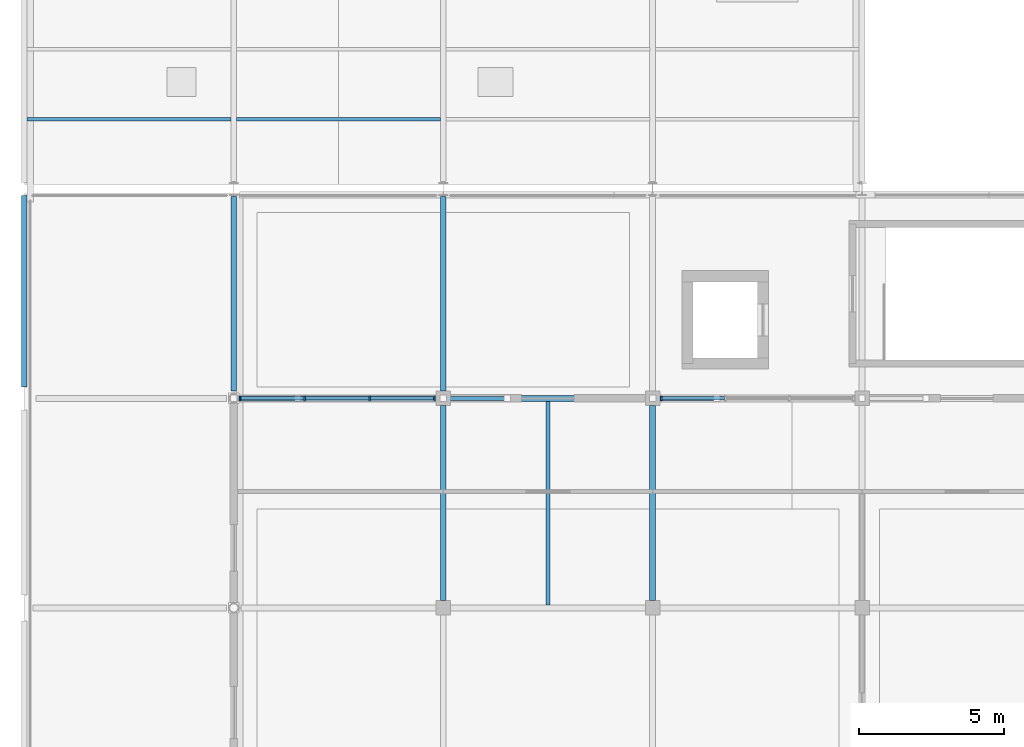
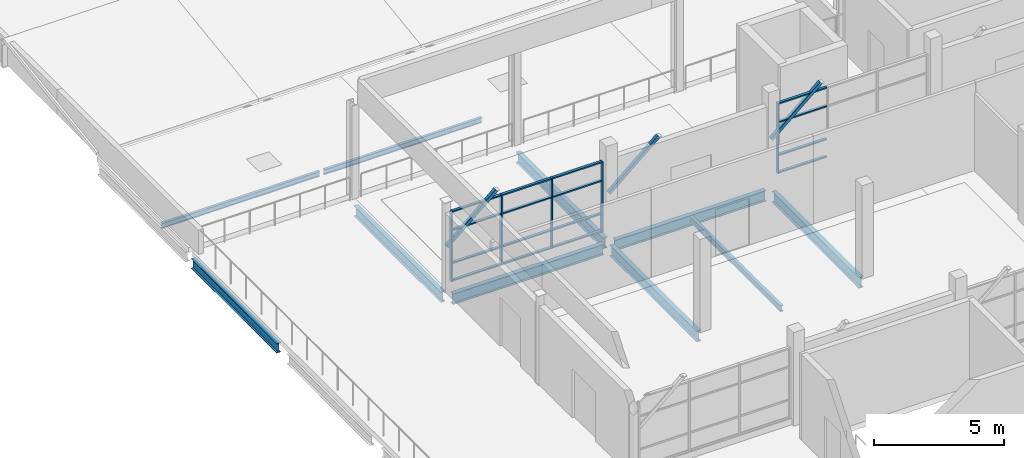
# One storey, part 7 of 32: 26 members, 8 beams, 2 elements without a shape of their own.
"""IFC4 building model written with IfcOpenShell, lengths in metres."""

from ifc_helpers import new_model, si_unit, direction, frame, origin, origin_2d, place, context, subcontext, project, spatial, rectangle, hollow_rectangle, i_section, extrude, material, material_profile, profile_set, type_object, element, aggregate, save


model = new_model("IFC4")

# Units and contexts
model_context = context("Model", 3, precision=1e-05, world=origin(), true_north=direction((0.0, 1.0)))
body_context = subcontext(model_context, "Body", "Model", "MODEL_VIEW")
ifc_project = project(units=[si_unit("LENGTHUNIT", "METRE"), si_unit("AREAUNIT", "SQUARE_METRE"), si_unit("VOLUMEUNIT", "CUBIC_METRE"), si_unit("PLANEANGLEUNIT", "RADIAN"), si_unit("MASSUNIT", "GRAM", prefix="KILO")], contexts=[model_context])

# Site, building, storey
site_placement = place(None, origin())
site = spatial("IfcSite", under=ifc_project, at=site_placement, CompositionType="ELEMENT")
building_placement = place(site_placement, origin())
building = spatial("IfcBuilding", under=site, at=building_placement, Name="Sardonyx Promenade Sports Hall", CompositionType="ELEMENT")
storey_placement = place(building_placement, frame((0.0, 0.0, 20.39990234375)))
storey = spatial("IfcBuildingStorey", under=building, at=storey_placement, Name="L04", CompositionType="ELEMENT", Elevation=20.39990234375)

# Beams
ifc_material_1 = material(Name="Steel S355JR", Category="steel")
ifc_material_profile_1 = material_profile(ifc_material_1, i_section(OverallWidth=0.135009765625, OverallDepth=0.27001953125, WebThickness=0.006591796875, FlangeThickness=0.01025390625, at=origin_2d()))
ifc_profile_set_1 = profile_set([ifc_material_profile_1], Name="Steel S355JR")
beam_type_1 = type_object("IfcBeamType", Name="Bm_Joist_IPE270", PredefinedType="JOIST", material=ifc_profile_set_1)
beam_1_placement = place(storey_placement, frame((18.0, 14.5048828125, -0.40478515625), z_axis=(0.0, 1.0, 0.0), x_axis=(-1.0, 0.0, 0.0)))
element("IfcBeam", 1, at=beam_1_placement, inside=storey, type_object=beam_type_1, Name="Secondary joist SJ01 L04 #1093", PredefinedType="JOIST", context=body_context, shape_type="SweptSolid", body=[
    extrude(i_section(OverallWidth=0.135009765625, OverallDepth=0.27001953125, WebThickness=0.006591796875, FlangeThickness=0.01025390625, at=origin_2d()), origin(), (0.0, 0.0, 1.0), 6.9951171875),
])
ifc_material_2 = material(Name="Steel S355JR", Category="steel")
ifc_material_profile_2 = material_profile(ifc_material_2, i_section(OverallWidth=0.199951171875, OverallDepth=0.5, WebThickness=0.01025390625, FlangeThickness=0.01611328125, at=origin_2d()))
ifc_profile_set_2 = profile_set([ifc_material_profile_2], Name="Steel S355JR")
beam_type_2 = type_object("IfcBeamType", Name="Bm_Primary_IPE500", PredefinedType="BEAM", material=ifc_profile_set_2)
beam_2_placement = place(storey_placement, frame((7.449951171875, 21.60009765625, -0.52001953125), z_axis=(1.0, 0.0, 0.0), x_axis=(0.0, 1.0, 0.0)))
element("IfcBeam", 2, at=beam_2_placement, inside=storey, type_object=beam_type_2, Name="Beam SB06 L04 #982", PredefinedType="BEAM", context=body_context, shape_type="SweptSolid", body=[
    extrude(i_section(OverallWidth=0.199951171875, OverallDepth=0.5, WebThickness=0.01025390625, FlangeThickness=0.01611328125, at=origin_2d()), origin(), (0.0, 0.0, 1.0), 6.699951171875),
])
beam_3_placement = place(storey_placement, frame((14.64990234375, 21.60009765625, -0.52001953125), z_axis=(1.0, 0.0, 0.0), x_axis=(0.0, 1.0, 0.0)))
element("IfcBeam", 3, at=beam_3_placement, inside=storey, type_object=beam_type_2, Name="Beam SB06 L04 #983", PredefinedType="BEAM", context=body_context, shape_type="SweptSolid", body=[
    extrude(i_section(OverallWidth=0.199951171875, OverallDepth=0.5, WebThickness=0.01025390625, FlangeThickness=0.01611328125, at=origin_2d()), origin(), (0.0, 0.0, 1.0), 6.7001953125),
])
beam_4_placement = place(storey_placement, frame((7.199951171875, 21.85009765625, -0.510009765625), z_axis=(0.0, 1.0, 0.0), x_axis=(-1.0, 0.0, 0.0)))
element("IfcBeam", 4, at=beam_4_placement, inside=storey, type_object=beam_type_2, Name="Beam SB06 L04 #1019", PredefinedType="BEAM", context=body_context, shape_type="SweptSolid", body=[
    extrude(i_section(OverallWidth=0.199951171875, OverallDepth=0.5, WebThickness=0.01025390625, FlangeThickness=0.01611328125, at=origin_2d()), origin(), (0.0, 0.0, 1.0), 6.699951171875),
])
beam_5_placement = place(storey_placement, frame((14.39990234375, 14.64990234375, -0.52001953125), z_axis=(0.0, 1.0, 0.0), x_axis=(-1.0, 0.0, 0.0)))
element("IfcBeam", 5, at=beam_5_placement, inside=storey, type_object=beam_type_2, Name="Beam SB06 L04 #1024", PredefinedType="BEAM", context=body_context, shape_type="SweptSolid", body=[
    extrude(i_section(OverallWidth=0.199951171875, OverallDepth=0.5, WebThickness=0.01025390625, FlangeThickness=0.01611328125, at=origin_2d()), origin(), (0.0, 0.0, 1.0), 6.7001953125),
])
beam_6_placement = place(storey_placement, frame((14.39990234375, 21.85009765625, -0.510009765625), z_axis=(0.0, 1.0, 0.0), x_axis=(-1.0, 0.0, 0.0)))
element("IfcBeam", 6, at=beam_6_placement, inside=storey, type_object=beam_type_2, Name="Beam SB06 L04 #1025", PredefinedType="BEAM", context=body_context, shape_type="SweptSolid", body=[
    extrude(i_section(OverallWidth=0.199951171875, OverallDepth=0.5, WebThickness=0.01025390625, FlangeThickness=0.01611328125, at=origin_2d()), origin(), (0.0, 0.0, 1.0), 6.699951171875),
])
beam_7_placement = place(storey_placement, frame((21.60009765625, 14.64990234375, -0.52001953125), z_axis=(0.0, 1.0, 0.0), x_axis=(-1.0, 0.0, 0.0)))
element("IfcBeam", 7, at=beam_7_placement, inside=storey, type_object=beam_type_2, Name="Beam SB06 L04 #1030", PredefinedType="BEAM", context=body_context, shape_type="SweptSolid", body=[
    extrude(i_section(OverallWidth=0.199951171875, OverallDepth=0.5, WebThickness=0.01025390625, FlangeThickness=0.01611328125, at=origin_2d()), origin(), (0.0, 0.0, 1.0), 6.7001953125),
])
ifc_material_3 = material(Name="Steel S355JR", Category="steel")
ifc_material_profile_3 = material_profile(ifc_material_3, i_section(OverallWidth=0.18994140625, OverallDepth=0.449951171875, WebThickness=0.009521484375, FlangeThickness=0.0146484375, at=origin_2d()))
ifc_profile_set_3 = profile_set([ifc_material_profile_3], Name="Steel S355JR")
beam_type_3 = type_object("IfcBeamType", Name="Bm_Spandrel_Steel", PredefinedType="SPANDREL", material=ifc_profile_set_3)
beam_8_placement = place(storey_placement, frame((0.0, 22.0, -0.48486328125), z_axis=(0.0, 1.0, 0.0), x_axis=(-1.0, 0.0, 0.0)))
element("IfcBeam", 8, at=beam_8_placement, inside=storey, type_object=beam_type_3, Name="Beam SPB3 L04 #1014", PredefinedType="SPANDREL", context=body_context, shape_type="SweptSolid", body=[
    extrude(i_section(OverallWidth=0.18994140625, OverallDepth=0.449951171875, WebThickness=0.009521484375, FlangeThickness=0.0146484375, at=origin_2d()), origin(), (0.0, 0.0, 1.0), 6.580078125),
])

# Curtain wall, members
ifc_material_4 = material(Name="Aluminium 6063-T6", Category="aluminium")
curtain_wall_type = type_object("IfcCurtainWallType", Name="CW_Pavilion_L04_640", PredefinedType="USERDEFINED", material=ifc_material_4)
curtain_wall_1_placement = place(storey_placement, origin())
curtain_wall_1 = element("IfcCurtainWall", 9, at=curtain_wall_1_placement, inside=storey, type_object=curtain_wall_type, Name="Curtain wall CW10 cw:L04:168", ObjectType="CURTAIN WALL", PredefinedType="USERDEFINED")
ifc_material_5 = material(Name="Aluminium 6063-T6", Category="aluminium")
ifc_material_profile_4 = material_profile(ifc_material_5, rectangle(XDim=0.06005859375, YDim=0.14990234375, at=origin_2d()))
ifc_profile_set_4 = profile_set([ifc_material_profile_4], Name="Aluminium 6063-T6")
member_type_1 = type_object("IfcMemberType", Name="CW_Mull_150", PredefinedType="MULLION", material=ifc_profile_set_4)
member_1_placement = place(storey_placement, frame((7.411865234375, 21.60009765625, 0.300048828125), z_axis=(0.0, 0.0, 1.0), x_axis=(1.0, 0.0, 0.0)))
member_1 = element("IfcMember", 10, at=member_1_placement, type_object=member_type_1, Name="Mullion CM01 cw:L04:168 #1", PredefinedType="MULLION", context=body_context, shape_type="SweptSolid", body=[
    extrude(rectangle(XDim=0.06005859375, YDim=0.14990234375, at=origin_2d()), origin(), (0.0, 0.0, 1.0), 3.300048828125),
])
member_2_placement = place(storey_placement, frame((9.641357421875, 21.60009765625, 0.300048828125), z_axis=(0.0, 0.0, 1.0), x_axis=(1.0, 0.0, 0.0)))
member_2 = element("IfcMember", 11, at=member_2_placement, type_object=member_type_1, Name="Mullion CM01 cw:L04:168 #2", PredefinedType="MULLION", context=body_context, shape_type="SweptSolid", body=[
    extrude(rectangle(XDim=0.06005859375, YDim=0.14990234375, at=origin_2d()), origin(), (0.0, 0.0, 1.0), 3.300048828125),
])
member_3_placement = place(storey_placement, frame((11.87060546875, 21.60009765625, 0.300048828125), z_axis=(0.0, 0.0, 1.0), x_axis=(1.0, 0.0, 0.0)))
member_3 = element("IfcMember", 12, at=member_3_placement, type_object=member_type_1, Name="Mullion CM01 cw:L04:168 #3", PredefinedType="MULLION", context=body_context, shape_type="SweptSolid", body=[
    extrude(rectangle(XDim=0.06005859375, YDim=0.14990234375, at=origin_2d()), origin(), (0.0, 0.0, 1.0), 3.300048828125),
])
member_4_placement = place(storey_placement, frame((14.10009765625, 21.60009765625, 0.300048828125), z_axis=(0.0, 0.0, 1.0), x_axis=(1.0, 0.0, 0.0)))
member_4 = element("IfcMember", 13, at=member_4_placement, type_object=member_type_1, Name="Mullion CM01 cw:L04:168 #4", PredefinedType="MULLION", context=body_context, shape_type="SweptSolid", body=[
    extrude(rectangle(XDim=0.06005859375, YDim=0.14990234375, at=origin_2d()), origin(), (0.0, 0.0, 1.0), 3.300048828125),
])

# Curtain wall, member
curtain_wall_2_placement = place(storey_placement, origin())
curtain_wall_2 = element("IfcCurtainWall", 14, at=curtain_wall_2_placement, inside=storey, type_object=curtain_wall_type, Name="Curtain wall CW10 cw:L04:169", ObjectType="CURTAIN WALL", PredefinedType="USERDEFINED")
member_5_placement = place(storey_placement, frame((21.89990234375, 21.60009765625, 0.300048828125), z_axis=(0.0, 0.0, 1.0), x_axis=(1.0, 0.0, 0.0)))
member_5 = element("IfcMember", 15, at=member_5_placement, type_object=member_type_1, Name="Mullion CM01 cw:L04:169 #1", PredefinedType="MULLION", context=body_context, shape_type="SweptSolid", body=[
    extrude(rectangle(XDim=0.06005859375, YDim=0.14990234375, at=origin_2d()), origin(), (0.0, 0.0, 1.0), 3.300048828125),
])

# Member
ifc_material_6 = material(Name="Aluminium 6063-T6", Category="aluminium")
ifc_material_profile_5 = material_profile(ifc_material_6, rectangle(XDim=0.06005859375, YDim=0.1201171875, at=origin_2d()))
ifc_profile_set_5 = profile_set([ifc_material_profile_5], Name="Aluminium 6063-T6")
member_type_2 = type_object("IfcMemberType", Name="CW_Tran_120", PredefinedType="USERDEFINED", material=ifc_profile_set_5)
member_6_placement = place(storey_placement, frame((7.44189453125, 21.60009765625, 0.330078125), z_axis=(1.0, 0.0, 0.0), x_axis=(0.0, 0.0, 1.0)))
member_6 = element("IfcMember", 16, at=member_6_placement, type_object=member_type_2, Name="Transom CT01 cw:L04:168 #1", ObjectType="TRANSOM", PredefinedType="USERDEFINED", context=body_context, shape_type="SweptSolid", body=[
    extrude(rectangle(XDim=0.06005859375, YDim=0.1201171875, at=origin_2d()), origin(), (0.0, 0.0, 1.0), 2.16943359375),
])

member_7_placement = place(storey_placement, frame((7.44189453125, 21.60009765625, 1.150146484375), z_axis=(1.0, 0.0, 0.0), x_axis=(0.0, 0.0, 1.0)))
member_7 = element("IfcMember", 17, at=member_7_placement, type_object=member_type_2, Name="Transom CT01 cw:L04:168 #2", ObjectType="TRANSOM", PredefinedType="USERDEFINED", context=body_context, shape_type="SweptSolid", body=[
    extrude(rectangle(XDim=0.06005859375, YDim=0.1201171875, at=origin_2d()), origin(), (0.0, 0.0, 1.0), 2.16943359375),
])

member_8_placement = place(storey_placement, frame((7.44189453125, 21.60009765625, 2.7001953125), z_axis=(1.0, 0.0, 0.0), x_axis=(0.0, 0.0, 1.0)))
member_8 = element("IfcMember", 18, at=member_8_placement, type_object=member_type_2, Name="Transom CT01 cw:L04:168 #3", ObjectType="TRANSOM", PredefinedType="USERDEFINED", context=body_context, shape_type="SweptSolid", body=[
    extrude(rectangle(XDim=0.06005859375, YDim=0.1201171875, at=origin_2d()), origin(), (0.0, 0.0, 1.0), 2.16943359375),
])

member_9_placement = place(storey_placement, frame((7.44189453125, 21.60009765625, 3.570068359375), z_axis=(1.0, 0.0, 0.0), x_axis=(0.0, 0.0, 1.0)))
member_9 = element("IfcMember", 19, at=member_9_placement, type_object=member_type_2, Name="Transom CT01 cw:L04:168 #4", ObjectType="TRANSOM", PredefinedType="USERDEFINED", context=body_context, shape_type="SweptSolid", body=[
    extrude(rectangle(XDim=0.06005859375, YDim=0.1201171875, at=origin_2d()), origin(), (0.0, 0.0, 1.0), 2.16943359375),
])

member_10_placement = place(storey_placement, frame((9.67138671875, 21.60009765625, 0.330078125), z_axis=(1.0, 0.0, 0.0), x_axis=(0.0, 0.0, 1.0)))
member_10 = element("IfcMember", 20, at=member_10_placement, type_object=member_type_2, Name="Transom CT01 cw:L04:168 #5", ObjectType="TRANSOM", PredefinedType="USERDEFINED", context=body_context, shape_type="SweptSolid", body=[
    extrude(rectangle(XDim=0.06005859375, YDim=0.1201171875, at=origin_2d()), origin(), (0.0, 0.0, 1.0), 2.169189453125),
])

member_11_placement = place(storey_placement, frame((9.67138671875, 21.60009765625, 1.150146484375), z_axis=(1.0, 0.0, 0.0), x_axis=(0.0, 0.0, 1.0)))
member_11 = element("IfcMember", 21, at=member_11_placement, type_object=member_type_2, Name="Transom CT01 cw:L04:168 #6", ObjectType="TRANSOM", PredefinedType="USERDEFINED", context=body_context, shape_type="SweptSolid", body=[
    extrude(rectangle(XDim=0.06005859375, YDim=0.1201171875, at=origin_2d()), origin(), (0.0, 0.0, 1.0), 2.169189453125),
])

member_12_placement = place(storey_placement, frame((9.67138671875, 21.60009765625, 2.7001953125), z_axis=(1.0, 0.0, 0.0), x_axis=(0.0, 0.0, 1.0)))
member_12 = element("IfcMember", 22, at=member_12_placement, type_object=member_type_2, Name="Transom CT01 cw:L04:168 #7", ObjectType="TRANSOM", PredefinedType="USERDEFINED", context=body_context, shape_type="SweptSolid", body=[
    extrude(rectangle(XDim=0.06005859375, YDim=0.1201171875, at=origin_2d()), origin(), (0.0, 0.0, 1.0), 2.169189453125),
])

member_13_placement = place(storey_placement, frame((9.67138671875, 21.60009765625, 3.570068359375), z_axis=(1.0, 0.0, 0.0), x_axis=(0.0, 0.0, 1.0)))
member_13 = element("IfcMember", 23, at=member_13_placement, type_object=member_type_2, Name="Transom CT01 cw:L04:168 #8", ObjectType="TRANSOM", PredefinedType="USERDEFINED", context=body_context, shape_type="SweptSolid", body=[
    extrude(rectangle(XDim=0.06005859375, YDim=0.1201171875, at=origin_2d()), origin(), (0.0, 0.0, 1.0), 2.169189453125),
])

member_14_placement = place(storey_placement, frame((11.900634765625, 21.60009765625, 0.330078125), z_axis=(1.0, 0.0, 0.0), x_axis=(0.0, 0.0, 1.0)))
member_14 = element("IfcMember", 24, at=member_14_placement, type_object=member_type_2, Name="Transom CT01 cw:L04:168 #9", ObjectType="TRANSOM", PredefinedType="USERDEFINED", context=body_context, shape_type="SweptSolid", body=[
    extrude(rectangle(XDim=0.06005859375, YDim=0.1201171875, at=origin_2d()), origin(), (0.0, 0.0, 1.0), 2.16943359375),
])

member_15_placement = place(storey_placement, frame((11.900634765625, 21.60009765625, 1.150146484375), z_axis=(1.0, 0.0, 0.0), x_axis=(0.0, 0.0, 1.0)))
member_15 = element("IfcMember", 25, at=member_15_placement, type_object=member_type_2, Name="Transom CT01 cw:L04:168 #10", ObjectType="TRANSOM", PredefinedType="USERDEFINED", context=body_context, shape_type="SweptSolid", body=[
    extrude(rectangle(XDim=0.06005859375, YDim=0.1201171875, at=origin_2d()), origin(), (0.0, 0.0, 1.0), 2.16943359375),
])

member_16_placement = place(storey_placement, frame((11.900634765625, 21.60009765625, 2.7001953125), z_axis=(1.0, 0.0, 0.0), x_axis=(0.0, 0.0, 1.0)))
member_16 = element("IfcMember", 26, at=member_16_placement, type_object=member_type_2, Name="Transom CT01 cw:L04:168 #11", ObjectType="TRANSOM", PredefinedType="USERDEFINED", context=body_context, shape_type="SweptSolid", body=[
    extrude(rectangle(XDim=0.06005859375, YDim=0.1201171875, at=origin_2d()), origin(), (0.0, 0.0, 1.0), 2.16943359375),
])

member_17_placement = place(storey_placement, frame((11.900634765625, 21.60009765625, 3.570068359375), z_axis=(1.0, 0.0, 0.0), x_axis=(0.0, 0.0, 1.0)))
member_17 = element("IfcMember", 27, at=member_17_placement, type_object=member_type_2, Name="Transom CT01 cw:L04:168 #12", ObjectType="TRANSOM", PredefinedType="USERDEFINED", context=body_context, shape_type="SweptSolid", body=[
    extrude(rectangle(XDim=0.06005859375, YDim=0.1201171875, at=origin_2d()), origin(), (0.0, 0.0, 1.0), 2.16943359375),
])

aggregate(curtain_wall_1, [member_1, member_2, member_3, member_4, member_6, member_7, member_8, member_9, member_10, member_11, member_12, member_13, member_14, member_15, member_16, member_17])

member_18_placement = place(storey_placement, frame((21.929931640625, 21.60009765625, 0.330078125), z_axis=(1.0, 0.0, 0.0), x_axis=(0.0, 0.0, 1.0)))
member_18 = element("IfcMember", 28, at=member_18_placement, type_object=member_type_2, Name="Transom CT01 cw:L04:169 #1", ObjectType="TRANSOM", PredefinedType="USERDEFINED", context=body_context, shape_type="SweptSolid", body=[
    extrude(rectangle(XDim=0.06005859375, YDim=0.1201171875, at=origin_2d()), origin(), (0.0, 0.0, 1.0), 2.14013671875),
])

member_19_placement = place(storey_placement, frame((21.929931640625, 21.60009765625, 1.150146484375), z_axis=(1.0, 0.0, 0.0), x_axis=(0.0, 0.0, 1.0)))
member_19 = element("IfcMember", 29, at=member_19_placement, type_object=member_type_2, Name="Transom CT01 cw:L04:169 #2", ObjectType="TRANSOM", PredefinedType="USERDEFINED", context=body_context, shape_type="SweptSolid", body=[
    extrude(rectangle(XDim=0.06005859375, YDim=0.1201171875, at=origin_2d()), origin(), (0.0, 0.0, 1.0), 2.14013671875),
])

member_20_placement = place(storey_placement, frame((21.929931640625, 21.60009765625, 2.7001953125), z_axis=(1.0, 0.0, 0.0), x_axis=(0.0, 0.0, 1.0)))
member_20 = element("IfcMember", 30, at=member_20_placement, type_object=member_type_2, Name="Transom CT01 cw:L04:169 #3", ObjectType="TRANSOM", PredefinedType="USERDEFINED", context=body_context, shape_type="SweptSolid", body=[
    extrude(rectangle(XDim=0.06005859375, YDim=0.1201171875, at=origin_2d()), origin(), (0.0, 0.0, 1.0), 2.14013671875),
])

member_21_placement = place(storey_placement, frame((21.929931640625, 21.60009765625, 3.570068359375), z_axis=(1.0, 0.0, 0.0), x_axis=(0.0, 0.0, 1.0)))
member_21 = element("IfcMember", 31, at=member_21_placement, type_object=member_type_2, Name="Transom CT01 cw:L04:169 #4", ObjectType="TRANSOM", PredefinedType="USERDEFINED", context=body_context, shape_type="SweptSolid", body=[
    extrude(rectangle(XDim=0.06005859375, YDim=0.1201171875, at=origin_2d()), origin(), (0.0, 0.0, 1.0), 2.14013671875),
])

aggregate(curtain_wall_2, [member_5, member_18, member_19, member_20, member_21])

# Members
ifc_material_7 = material(Name="Steel S355JR", Category="steel")
ifc_material_profile_6 = material_profile(ifc_material_7, i_section(OverallWidth=0.1201171875, OverallDepth=0.239990234375, WebThickness=0.006103515625, FlangeThickness=0.009765625, at=origin_2d()))
ifc_profile_set_6 = profile_set([ifc_material_profile_6], Name="Steel S355JR")
member_type_3 = type_object("IfcMemberType", Name="Mbr_Purlin_IPE240", PredefinedType="PURLIN", material=ifc_profile_set_6)
member_22_placement = place(storey_placement, frame((0.093017578125, 31.199951171875, -0.349853515625), z_axis=(1.0, 0.0, 0.0), x_axis=(0.0, 1.0, 0.0)))
element("IfcMember", 32, at=member_22_placement, inside=storey, type_object=member_type_3, Name="Roof purlin PR01 L04 #1", PredefinedType="PURLIN", context=body_context, shape_type="SweptSolid", body=[
    extrude(i_section(OverallWidth=0.1201171875, OverallDepth=0.239990234375, WebThickness=0.006103515625, FlangeThickness=0.009765625, at=origin_2d()), origin(), (0.0, 0.0, 1.0), 7.009033203125),
])
member_23_placement = place(storey_placement, frame((7.298095703125, 31.199951171875, -0.349853515625), z_axis=(1.0, 0.0, 0.0), x_axis=(0.0, 1.0, 0.0)))
element("IfcMember", 33, at=member_23_placement, inside=storey, type_object=member_type_3, Name="Roof purlin PR01 L04 #3", PredefinedType="PURLIN", context=body_context, shape_type="SweptSolid", body=[
    extrude(i_section(OverallWidth=0.1201171875, OverallDepth=0.239990234375, WebThickness=0.006103515625, FlangeThickness=0.009765625, at=origin_2d()), origin(), (0.0, 0.0, 1.0), 7.00390625),
])
ifc_material_8 = material(Name="Steel S355JR", Category="steel")
ifc_material_profile_7 = material_profile(ifc_material_8, hollow_rectangle(XDim=0.14990234375, YDim=0.14990234375, WallThickness=0.008056640625, at=origin_2d()))
ifc_profile_set_7 = profile_set([ifc_material_profile_7], Name="Steel S355JR")
member_type_4 = type_object("IfcMemberType", Name="Mbr_Strut_SHS150", PredefinedType="STRUT", material=ifc_profile_set_7)
member_24_placement = place(storey_placement, frame((7.199951171875, 21.60009765625, 2.0), z_axis=(0.756790903627, 0.0, 0.653657041718), x_axis=(0.0, 1.0, 0.0)))
element("IfcMember", 34, at=member_24_placement, inside=storey, type_object=member_type_4, Name="Pavilion roof knee-brace strut #13", PredefinedType="STRUT", context=body_context, shape_type="SweptSolid", body=[
    extrude(hollow_rectangle(XDim=0.14990234375, YDim=0.14990234375, WallThickness=0.008056640625, at=origin_2d()), origin(), (0.0, 0.0, 1.0), 2.906982421875),
])
member_25_placement = place(storey_placement, frame((14.39990234375, 21.60009765625, 2.0), z_axis=(0.756826784367, 0.0, 0.653615497418), x_axis=(0.0, 1.0, 0.0)))
element("IfcMember", 35, at=member_25_placement, inside=storey, type_object=member_type_4, Name="Pavilion roof knee-brace strut #15", PredefinedType="STRUT", context=body_context, shape_type="SweptSolid", body=[
    extrude(hollow_rectangle(XDim=0.14990234375, YDim=0.14990234375, WallThickness=0.008056640625, at=origin_2d()), origin(), (0.0, 0.0, 1.0), 2.9072265625),
])
member_26_placement = place(storey_placement, frame((21.60009765625, 21.60009765625, 2.0), z_axis=(0.756790903627, 0.0, 0.653657041718), x_axis=(0.0, 1.0, 0.0)))
element("IfcMember", 36, at=member_26_placement, inside=storey, type_object=member_type_4, Name="Pavilion roof knee-brace strut #17", PredefinedType="STRUT", context=body_context, shape_type="SweptSolid", body=[
    extrude(hollow_rectangle(XDim=0.14990234375, YDim=0.14990234375, WallThickness=0.008056640625, at=origin_2d()), origin(), (0.0, 0.0, 1.0), 2.906982421875),
])

save(model, "model.ifc")
